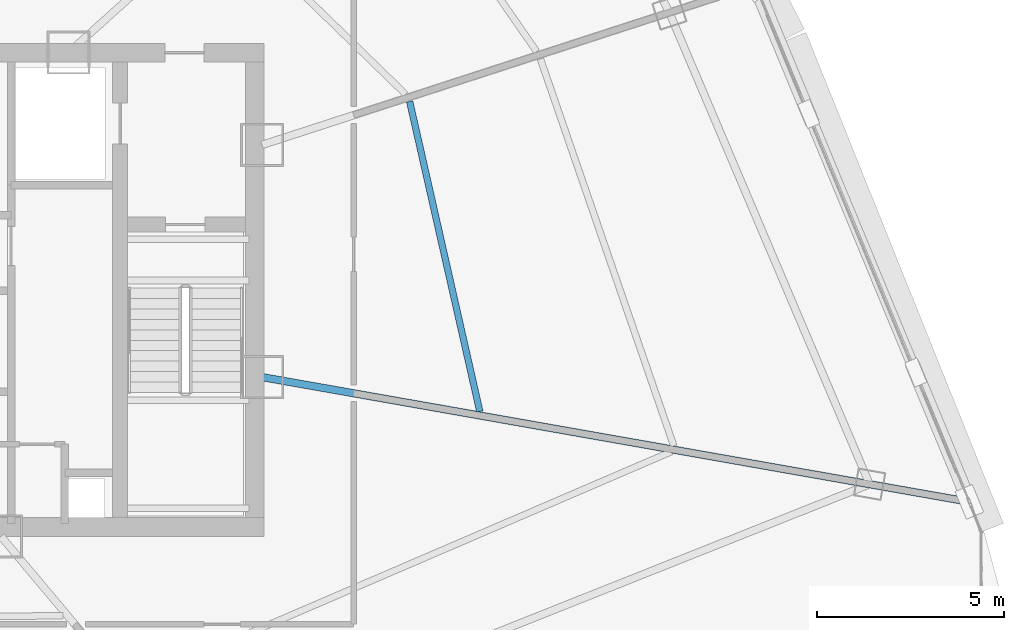
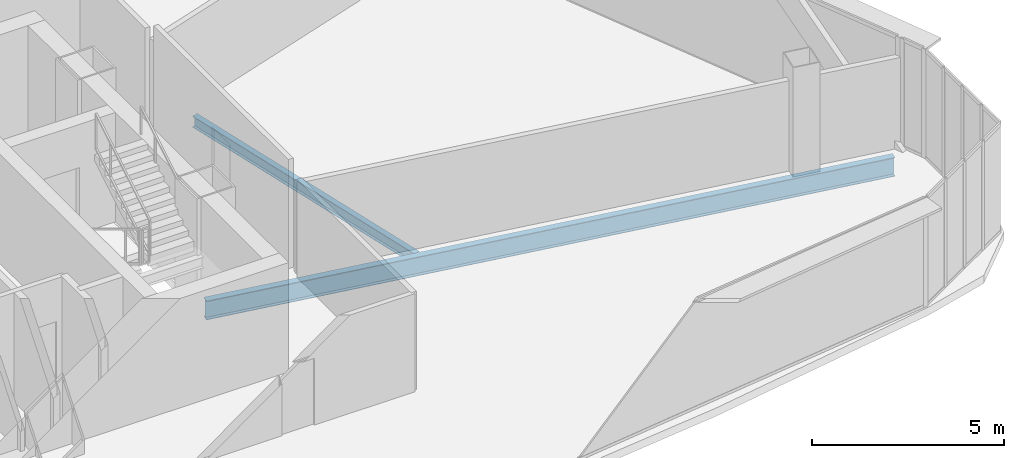
# One storey, part 15 of 40: 2 beams.
"""IFC4 building model written with IfcOpenShell, lengths in metres."""

from ifc_helpers import new_model, si_unit, direction, frame, origin, origin_2d, place, context, subcontext, project, spatial, i_section, extrude, source, transform, mapped, material, material_profile, profile_set, type_object, element, save


model = new_model("IFC4")

# Units and contexts
model_context = context("Model", 3, precision=1e-05, world=origin(), true_north=direction((0.0, 1.0)))
body_context = subcontext(model_context, "Body", "Model", "MODEL_VIEW")
ifc_project = project(units=[si_unit("LENGTHUNIT", "METRE"), si_unit("AREAUNIT", "SQUARE_METRE"), si_unit("VOLUMEUNIT", "CUBIC_METRE"), si_unit("PLANEANGLEUNIT", "RADIAN"), si_unit("MASSUNIT", "GRAM", prefix="KILO"), si_unit("THERMODYNAMICTEMPERATUREUNIT", "KELVIN"), si_unit("POWERUNIT", "WATT")], contexts=[model_context])

# Site, building, storey
site_placement = place(None, origin())
site = spatial("IfcSite", under=ifc_project, at=site_placement, CompositionType="ELEMENT")
building_placement = place(site_placement, origin())
building = spatial("IfcBuilding", under=site, at=building_placement, Name="Yunzhuo Pagoda Commons", CompositionType="ELEMENT")
storey_placement = place(building_placement, frame((0.0, 0.0, 288.75)))
storey = spatial("IfcBuildingStorey", under=building, at=storey_placement, Name="L72", CompositionType="ELEMENT", Elevation=288.75)

# Beams
ifc_material = material(Name="Structural steel Q355B", Category="steel")
ifc_material_profile_1 = material_profile(ifc_material, i_section(OverallWidth=0.175048828125, OverallDepth=0.35009765625, WebThickness=0.007080078125, FlangeThickness=0.010986328125, at=origin_2d()), Name="Structural steel Q355B")
ifc_profile_set_1 = profile_set([ifc_material_profile_1], Name="Structural steel Q355B")
beam_type_1 = type_object("IfcBeamType", Name="B-JS2 Joist HN 350x175x7x11", PredefinedType="JOIST", material=ifc_profile_set_1)
shared_shape_1 = source(origin(), body_context, "Body", "SweptSolid", [
    extrude(i_section(OverallWidth=0.175048828125, OverallDepth=0.35009765625, WebThickness=0.007080078125, FlangeThickness=0.010986328125, at=origin_2d()), origin(), (0.0, 0.0, 1.0), 8.508544921875),
])
beam_1_placement = place(storey_placement, frame((66.228759765625, 30.593505859375, -0.43505859375), z_axis=(-0.220769003385, 0.975326123481, 0.0), x_axis=(-0.975326123481, -0.220769003385, 0.0)))
element("IfcBeam", 1, at=beam_1_placement, inside=storey, type_object=beam_type_1, Name="L72 composite ring joist 1.5", PredefinedType="JOIST", context=body_context, shape_type="MappedRepresentation", body=[
    mapped(shared_shape_1, transform((0.0, 0.0, 0.0), scale=1.0)),
])
ifc_material_profile_2 = material_profile(ifc_material, i_section(OverallWidth=0.199951171875, OverallDepth=0.60009765625, WebThickness=0.010986328125, FlangeThickness=0.01708984375, at=origin_2d()), Name="Structural steel Q355B")
ifc_profile_set_2 = profile_set([ifc_material_profile_2], Name="Structural steel Q355B")
beam_type_2 = type_object("IfcBeamType", Name="B-RG3 Beam HN 600x200x11x17", PredefinedType="BEAM", material=ifc_profile_set_2)
shared_shape_2 = source(origin(), body_context, "Body", "SweptSolid", [
    extrude(i_section(OverallWidth=0.199951171875, OverallDepth=0.60009765625, WebThickness=0.010986328125, FlangeThickness=0.01708984375, at=origin_2d()), origin(), (0.0, 0.0, 1.0), 19.06884765625),
])
beam_2_placement = place(storey_placement, frame((79.17919921875, 28.202392578125, -0.56005859375), z_axis=(-0.984810098602, 0.173634874639, 0.0), x_axis=(-0.173634874639, -0.984810098602, 0.0)))
element("IfcBeam", 2, at=beam_2_placement, inside=storey, type_object=beam_type_2, Name="L72 radial floor girder F2C1", PredefinedType="BEAM", context=body_context, shape_type="MappedRepresentation", body=[
    mapped(shared_shape_2, transform((0.0, 0.0, 0.0), scale=1.0)),
])

save(model, "model.ifc")
